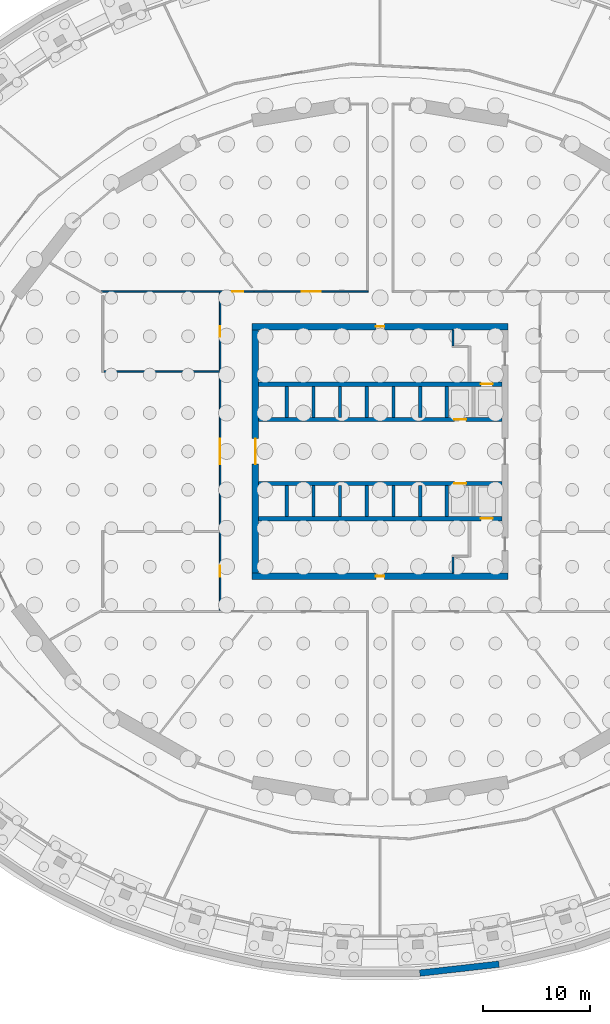
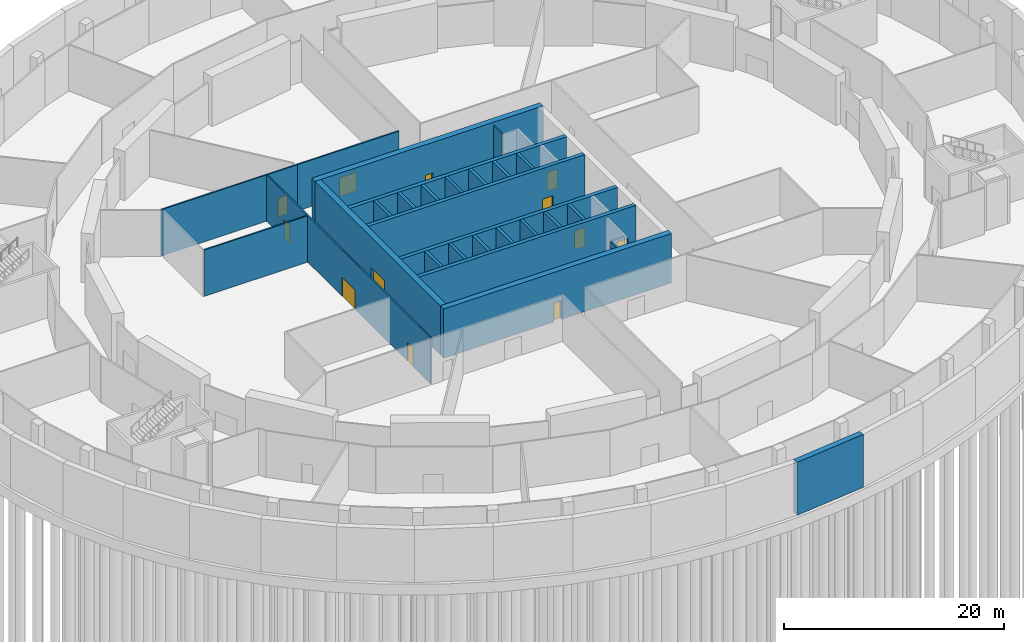
# One storey, part 8 of 15: 28 walls, 12 doors, 12 openings.
"""IFC4 building model written with IfcOpenShell, lengths in metres."""

from ifc_helpers import new_model, si_unit, direction, frame, frame_2d, origin, place, context, subcontext, project, spatial, rectangle, extrude, material, layer, layer_set, type_object, element, fill, save


model = new_model("IFC4")

# Units and contexts
model_context = context("Model", 3, precision=1e-05, world=origin(), true_north=direction((0.0, 1.0)))
body_context = subcontext(model_context, "Body", "Model", "MODEL_VIEW")
ifc_project = project(units=[si_unit("LENGTHUNIT", "METRE"), si_unit("AREAUNIT", "SQUARE_METRE"), si_unit("VOLUMEUNIT", "CUBIC_METRE"), si_unit("PLANEANGLEUNIT", "RADIAN"), si_unit("MASSUNIT", "GRAM", prefix="KILO")], contexts=[model_context])

# Site, building, storey
site_placement = place(None, origin())
site = spatial("IfcSite", under=ifc_project, at=site_placement, CompositionType="ELEMENT")
building_placement = place(site_placement, origin())
building = spatial("IfcBuilding", under=site, at=building_placement, Name="Halqa Exchange Tower", CompositionType="ELEMENT")
storey_placement = place(building_placement, frame((0.0, 0.0, -15.0)))
storey = spatial("IfcBuildingStorey", under=building, at=storey_placement, Name="B3", CompositionType="ELEMENT", Elevation=-15.0)

# Wall, opening, door
ifc_material_1 = material(Name="Fire-rated gypsum board")
ifc_layer_1 = layer(ifc_material_1, 0.14990234375)
ifc_layer_set_1 = layer_set([ifc_layer_1], Name="Fire-rated gypsum board")
wall_type_1 = type_object("IfcWallType", Name="Fire partition EI 60 150", PredefinedType="PARTITIONING", material=ifc_layer_set_1)
wall_1_placement = place(storey_placement, frame((-26.1298828125, 15.0, 0.0), z_axis=(0.0, 0.0, 1.0), x_axis=(1.0, 0.0, 0.0)))
wall_1 = element("IfcWall", 1, at=wall_1_placement, inside=storey, type_object=wall_type_1, Name="B3-PWL-044", PredefinedType="PARTITIONING", context=body_context, shape_type="SweptSolid", body=[
    extrude(rectangle(XDim=14.31982421875, YDim=0.14990234375, at=frame_2d((7.159912109375, 0.0))), origin(), (0.0, 0.0, 1.0), 5.14990234375),
])
opening_1_placement = place(wall_1_placement, frame((12.280029296875, 0.0, 0.0)))
opening_1 = element("IfcOpeningElement", 2, at=opening_1_placement, cuts=wall_1, Name="Opening B3-11", PredefinedType="OPENING", context=body_context, shape_type="SweptSolid", body=[
    extrude(rectangle(XDim=1.0, YDim=2.10009765625, at=frame_2d((0.5, 1.050048828125))), frame((0.0, 0.0869140625, 0.0), z_axis=(0.0, -1.0, 0.0), x_axis=(1.0, 0.0, 0.0)), (0.0, 0.0, 1.0), 0.173828125),
])
ifc_material_2 = material(Name="Steel fire door leaf", Category="steel")
door_type_1 = type_object("IfcDoorType", Name="Fire door FD30S 1000 x 2100", OperationType="SINGLE_SWING_LEFT", PredefinedType="DOOR", material=ifc_material_2)
door_1_placement = place(opening_1_placement, frame((1.0, 0.0, 0.0), z_axis=(0.0, 0.0, 1.0), x_axis=(-1.0, 0.0, 0.0)))
door_1 = element("IfcDoor", 3, at=door_1_placement, inside=storey, type_object=door_type_1, Name="B3-IDR-011", OperationType="SINGLE_SWING_LEFT", OverallHeight=2.10009765625, OverallWidth=1.0, PredefinedType="DOOR", context=body_context, shape_type="SweptSolid", body=[
    extrude(rectangle(XDim=1.0, YDim=2.10009765625, at=frame_2d((0.5, 1.050048828125))), frame((0.0, 0.02490234375, 0.0), z_axis=(0.0, -1.0, 0.0), x_axis=(1.0, 0.0, 0.0)), (0.0, 0.0, 1.0), 0.050048828125),
])
fill(opening_1, door_1)

# Wall, openings, doors
wall_2_placement = place(storey_placement, frame((-15.0, -14.925048828125, 0.0), z_axis=(0.0, 0.0, 1.0), x_axis=(0.0, 1.0, 0.0)))
wall_2 = element("IfcWall", 4, at=wall_2_placement, inside=storey, type_object=wall_type_1, Name="B3-PWL-058", PredefinedType="PARTITIONING", context=body_context, shape_type="SweptSolid", body=[
    extrude(rectangle(XDim=29.85009765625, YDim=0.14990234375, at=frame_2d((14.925048828125, 0.0))), origin(), (0.0, 0.0, 1.0), 5.14990234375),
])
opening_2_placement = place(wall_2_placement, frame((25.659912109375, 0.0, 0.0)))
opening_2 = element("IfcOpeningElement", 5, at=opening_2_placement, cuts=wall_2, Name="Opening B3-03", PredefinedType="OPENING", context=body_context, shape_type="SweptSolid", body=[
    extrude(rectangle(XDim=1.0, YDim=2.10009765625, at=frame_2d((0.5, 1.050048828125))), frame((0.0, 0.0869140625, 0.0), z_axis=(0.0, -1.0, 0.0), x_axis=(1.0, 0.0, 0.0)), (0.0, 0.0, 1.0), 0.173828125),
])
opening_3_placement = place(wall_2_placement, frame((3.18994140625, 0.0, 0.0)))
opening_3 = element("IfcOpeningElement", 6, at=opening_3_placement, cuts=wall_2, Name="Opening B3-04", PredefinedType="OPENING", context=body_context, shape_type="SweptSolid", body=[
    extrude(rectangle(XDim=1.0, YDim=2.10009765625, at=frame_2d((0.5, 1.050048828125))), frame((0.0, 0.0869140625, 0.0), z_axis=(0.0, -1.0, 0.0), x_axis=(1.0, 0.0, 0.0)), (0.0, 0.0, 1.0), 0.173828125),
])
opening_4_placement = place(wall_2_placement, frame((13.72509765625, 0.0, 0.0)))
opening_4 = element("IfcOpeningElement", 7, at=opening_4_placement, cuts=wall_2, Name="Opening B3-12", PredefinedType="OPENING", context=body_context, shape_type="SweptSolid", body=[
    extrude(rectangle(XDim=2.39990234375, YDim=2.10009765625, at=frame_2d((1.199951171875, 1.050048828125))), frame((0.0, 0.0869140625, 0.0), z_axis=(0.0, -1.0, 0.0), x_axis=(1.0, 0.0, 0.0)), (0.0, 0.0, 1.0), 0.173828125),
])
door_2_placement = place(opening_2_placement, frame((1.0, 0.0, 0.0), z_axis=(0.0, 0.0, 1.0), x_axis=(-1.0, 0.0, 0.0)))
door_2 = element("IfcDoor", 8, at=door_2_placement, inside=storey, type_object=door_type_1, Name="B3-IDR-003", OperationType="SINGLE_SWING_RIGHT", OverallHeight=2.10009765625, OverallWidth=1.0, PredefinedType="DOOR", context=body_context, shape_type="SweptSolid", body=[
    extrude(rectangle(XDim=1.0, YDim=2.10009765625, at=frame_2d((0.5, 1.050048828125))), frame((0.0, 0.02490234375, 0.0), z_axis=(0.0, -1.0, 0.0), x_axis=(1.0, 0.0, 0.0)), (0.0, 0.0, 1.0), 0.050048828125),
])
fill(opening_2, door_2)
door_3_placement = place(opening_3_placement, frame((1.0, 0.0, 0.0), z_axis=(0.0, 0.0, 1.0), x_axis=(-1.0, 0.0, 0.0)))
door_3 = element("IfcDoor", 9, at=door_3_placement, inside=storey, type_object=door_type_1, Name="B3-IDR-004", OperationType="SINGLE_SWING_LEFT", OverallHeight=2.10009765625, OverallWidth=1.0, PredefinedType="DOOR", context=body_context, shape_type="SweptSolid", body=[
    extrude(rectangle(XDim=1.0, YDim=2.10009765625, at=frame_2d((0.5, 1.050048828125))), frame((0.0, 0.02490234375, 0.0), z_axis=(0.0, -1.0, 0.0), x_axis=(1.0, 0.0, 0.0)), (0.0, 0.0, 1.0), 0.050048828125),
])
fill(opening_3, door_3)
door_type_2 = type_object("IfcDoorType", Name="Fire door FD60S double 2400 x 2100", OperationType="DOUBLE_DOOR_SINGLE_SWING", PredefinedType="DOOR", material=ifc_material_2)
door_4_placement = place(opening_4_placement, frame((2.39990234375, 0.0, 0.0), z_axis=(0.0, 0.0, 1.0), x_axis=(-1.0, 0.0, 0.0)))
door_4 = element("IfcDoor", 10, at=door_4_placement, inside=storey, type_object=door_type_2, Name="B3-IDR-012", OperationType="DOUBLE_DOOR_SINGLE_SWING", OverallHeight=2.10009765625, OverallWidth=2.39990234375, PredefinedType="DOOR", context=body_context, shape_type="SweptSolid", body=[
    extrude(rectangle(XDim=2.39990234375, YDim=2.10009765625, at=frame_2d((1.199951171875, 1.050048828125))), frame((0.0, 0.02490234375, 0.0), z_axis=(0.0, -1.0, 0.0), x_axis=(1.0, 0.0, 0.0)), (0.0, 0.0, 1.0), 0.050048828125),
])
fill(opening_4, door_4)

# Wall
wall_3_placement = place(storey_placement, frame((-15.074951171875, 7.5, 0.0), z_axis=(0.0, 0.0, 1.0), x_axis=(-1.0, 0.0, 0.0)))
element("IfcWall", 11, at=wall_3_placement, inside=storey, type_object=wall_type_1, Name="B3-PWL-059", PredefinedType="PARTITIONING", context=body_context, shape_type="SweptSolid", body=[
    extrude(rectangle(XDim=10.85107421875, YDim=0.14990234375, at=frame_2d((5.425537109375, 0.0))), origin(), (0.0, 0.0, 1.0), 5.14990234375),
])

# Wall, opening, door
wall_4_placement = place(storey_placement, frame((-11.810546875, 15.0, 0.0), z_axis=(0.0, 0.0, 1.0), x_axis=(1.0, 0.0, 0.0)))
wall_4 = element("IfcWall", 12, at=wall_4_placement, inside=storey, type_object=wall_type_1, Name="B3-PWL-062", PredefinedType="PARTITIONING", context=body_context, shape_type="SweptSolid", body=[
    extrude(rectangle(XDim=10.685546875, YDim=0.14990234375, at=frame_2d((5.3427734375, 0.0))), origin(), (0.0, 0.0, 1.0), 5.14990234375),
])
opening_5_placement = place(wall_4_placement, frame((4.44140625, 0.0, 0.0)))
opening_5 = element("IfcOpeningElement", 13, at=opening_5_placement, cuts=wall_4, Name="Opening B3-10", PredefinedType="OPENING", context=body_context, shape_type="SweptSolid", body=[
    extrude(rectangle(XDim=1.800048828125, YDim=2.10009765625, at=frame_2d((0.89990234375, 1.050048828125))), frame((0.0, 0.0869140625, 0.0), z_axis=(0.0, -1.0, 0.0), x_axis=(1.0, 0.0, 0.0)), (0.0, 0.0, 1.0), 0.173828125),
])
door_type_3 = type_object("IfcDoorType", Name="Fire door FD30S double 1800 x 2100", OperationType="DOUBLE_DOOR_SINGLE_SWING", PredefinedType="DOOR", material=ifc_material_2)
door_5_placement = place(opening_5_placement, frame((1.800048828125, 0.0, 0.0), z_axis=(0.0, 0.0, 1.0), x_axis=(-1.0, 0.0, 0.0)))
door_5 = element("IfcDoor", 14, at=door_5_placement, inside=storey, type_object=door_type_3, Name="B3-IDR-010", OperationType="DOUBLE_DOOR_SINGLE_SWING", OverallHeight=2.10009765625, OverallWidth=1.800048828125, PredefinedType="DOOR", context=body_context, shape_type="SweptSolid", body=[
    extrude(rectangle(XDim=1.800048828125, YDim=2.10009765625, at=frame_2d((0.89990234375, 1.050048828125))), frame((0.0, 0.02490234375, 0.0), z_axis=(0.0, -1.0, 0.0), x_axis=(1.0, 0.0, 0.0)), (0.0, 0.0, 1.0), 0.050048828125),
])
fill(opening_5, door_5)

# Walls
ifc_material_3 = material(Name="Gypsum board")
ifc_layer_2 = layer(ifc_material_3, 0.14990234375)
ifc_layer_set_2 = layer_set([ifc_layer_2], Name="Gypsum board")
wall_type_2 = type_object("IfcWallType", Name="Penthouse riser wall 150 gypsum", PredefinedType="PARTITIONING", material=ifc_layer_set_2)
for number, where, z_axis, x_axis, name in (
    (15, (6.824951171875, 9.89990234375, 0.0), (0.0, 0.0, 1.0), (0.0, 1.0, 0.0), "Firefighting lobby west wall N"),
    (16, (6.824951171875, -11.39990234375, 0.0), (0.0, 0.0, 1.0), (0.0, 1.0, 0.0), "Firefighting lobby west wall S"),
):
    element("IfcWall", number, at=place(storey_placement, frame(where, z_axis=z_axis, x_axis=x_axis)), inside=storey, type_object=wall_type_2, Name=name, PredefinedType="PARTITIONING", context=body_context, shape_type="SweptSolid", body=[
        extrude(rectangle(XDim=1.5, YDim=0.14990234375, at=frame_2d((0.75, 0.0))), origin(), (0.0, 0.0, 1.0), 5.14990234375),
    ])
ifc_material_4 = material(Name="Concrete C40/50", Category="concrete")
ifc_layer_3 = layer(ifc_material_4, 0.60009765625)
ifc_layer_set_3 = layer_set([ifc_layer_3], Name="Concrete C40/50")
wall_type_3 = type_object("IfcWallType", Name="RC basement wall 600", PredefinedType="SOLIDWALL", material=ifc_layer_set_3)
wall_5_placement = place(storey_placement, frame((3.711181640625, -48.89697265625, -0.39990234375), z_axis=(0.0, 0.0, 1.0), x_axis=(0.993658203282, 0.112442763445, 0.0)))
element("IfcWall", 17, at=wall_5_placement, inside=storey, type_object=wall_type_3, Name="Basement retaining wall", PredefinedType="SOLIDWALL", context=body_context, shape_type="SweptSolid", body=[
    extrude(rectangle(XDim=7.473388671875, YDim=0.60009765625, at=frame_2d((3.73681640625, 0.0))), origin(), (0.0, 0.0, 1.0), 5.89990234375),
])
ifc_material_5 = material(Name="Concrete C60/75", Category="concrete")
ifc_layer_4 = layer(ifc_material_5, 0.300048828125)
ifc_layer_set_4 = layer_set([ifc_layer_4], Name="Concrete C60/75")
wall_type_4 = type_object("IfcWallType", Name="RC core wall 300", PredefinedType="SHEAR", material=ifc_layer_set_4)
for number, where, z_axis, x_axis, name in (
    (18, (-8.75, 3.199951171875, 0.0), (0.0, 0.0, 1.0), (0.0, 1.0, 0.0), "Shaft divider N1"),
    (19, (-6.25, 3.199951171875, 0.0), (0.0, 0.0, 1.0), (0.0, 1.0, 0.0), "Shaft divider N2"),
    (20, (-3.75, 3.199951171875, 0.0), (0.0, 0.0, 1.0), (0.0, 1.0, 0.0), "Shaft divider N3"),
    (21, (-1.25, 3.199951171875, 0.0), (0.0, 0.0, 1.0), (0.0, 1.0, 0.0), "Shaft divider N4"),
    (22, (1.25, 3.199951171875, 0.0), (0.0, 0.0, 1.0), (0.0, 1.0, 0.0), "Shaft divider N5"),
    (23, (3.75, 3.199951171875, 0.0), (0.0, 0.0, 1.0), (0.0, 1.0, 0.0), "Shaft divider N6"),
    (24, (6.25, 3.199951171875, 0.0), (0.0, 0.0, 1.0), (0.0, 1.0, 0.0), "Shaft divider N7"),
    (25, (-8.75, -6.10009765625, 0.0), (0.0, 0.0, 1.0), (0.0, 1.0, 0.0), "Shaft divider S1"),
    (26, (-6.25, -6.10009765625, 0.0), (0.0, 0.0, 1.0), (0.0, 1.0, 0.0), "Shaft divider S2"),
    (27, (-3.75, -6.10009765625, 0.0), (0.0, 0.0, 1.0), (0.0, 1.0, 0.0), "Shaft divider S3"),
    (28, (-1.25, -6.10009765625, 0.0), (0.0, 0.0, 1.0), (0.0, 1.0, 0.0), "Shaft divider S4"),
    (29, (1.25, -6.10009765625, 0.0), (0.0, 0.0, 1.0), (0.0, 1.0, 0.0), "Shaft divider S5"),
    (30, (3.75, -6.10009765625, 0.0), (0.0, 0.0, 1.0), (0.0, 1.0, 0.0), "Shaft divider S6"),
    (31, (6.25, -6.10009765625, 0.0), (0.0, 0.0, 1.0), (0.0, 1.0, 0.0), "Shaft divider S7"),
):
    element("IfcWall", number, at=place(storey_placement, frame(where, z_axis=z_axis, x_axis=x_axis)), inside=storey, type_object=wall_type_4, Name=name, PredefinedType="SHEAR", context=body_context, shape_type="SweptSolid", body=[
        extrude(rectangle(XDim=2.900146484375, YDim=0.300048828125, at=frame_2d((1.4501953125, 0.0))), origin(), (0.0, 0.0, 1.0), 5.5),
    ])

# Wall, opening, door
ifc_material_6 = material(Name="Concrete C80/95", Category="concrete")
ifc_layer_5 = layer(ifc_material_6, 0.39990234375)
ifc_layer_set_5 = layer_set([ifc_layer_5], Name="Concrete C80/95")
wall_type_5 = type_object("IfcWallType", Name="RC core wall 400 C80/95", PredefinedType="SHEAR", material=ifc_layer_set_5)
wall_6_placement = place(storey_placement, frame((-11.39990234375, 3.0, 0.0), z_axis=(0.0, 0.0, 1.0), x_axis=(1.0, 0.0, 0.0)))
wall_6 = element("IfcWall", 32, at=wall_6_placement, inside=storey, type_object=wall_type_5, Name="Lift row front wall N", PredefinedType="SHEAR", context=body_context, shape_type="SweptSolid", body=[
    extrude(rectangle(XDim=22.7998046875, YDim=0.39990234375, at=frame_2d((11.39990234375, 0.0))), origin(), (0.0, 0.0, 1.0), 5.5),
])
opening_6_placement = place(wall_6_placement, frame((18.35009765625, 0.0, 0.0)))
opening_6 = element("IfcOpeningElement", 33, at=opening_6_placement, cuts=wall_6, Name="Opening LD-SV1-B3", PredefinedType="OPENING", context=body_context, shape_type="SweptSolid", body=[
    extrude(rectangle(XDim=1.10009765625, YDim=2.10009765625, at=frame_2d((0.550048828125, 1.050048828125))), frame((0.0, 0.2119140625, 0.0), z_axis=(0.0, -1.0, 0.0), x_axis=(1.0, 0.0, 0.0)), (0.0, 0.0, 1.0), 0.423828125),
])
ifc_material_7 = material(Name="Stainless steel", Category="steel")
door_type_4 = type_object("IfcDoorType", Name="Lift landing door 1100 x 2100", OperationType="SLIDING_TO_LEFT", PredefinedType="DOOR", material=ifc_material_7)
door_6_placement = place(opening_6_placement, origin())
door_6 = element("IfcDoor", 34, at=door_6_placement, inside=storey, type_object=door_type_4, Name="Lift landing door SV1", OperationType="SLIDING_TO_LEFT", OverallHeight=2.10009765625, OverallWidth=1.10009765625, PredefinedType="DOOR", context=body_context, shape_type="SweptSolid", body=[
    extrude(rectangle(XDim=1.10009765625, YDim=2.10009765625, at=frame_2d((0.550048828125, 1.050048828125))), frame((0.0, 0.02490234375, 0.0), z_axis=(0.0, -1.0, 0.0), x_axis=(1.0, 0.0, 0.0)), (0.0, 0.0, 1.0), 0.050048828125),
])
fill(opening_6, door_6)

wall_7_placement = place(storey_placement, frame((-11.39990234375, 6.300048828125, 0.0), z_axis=(0.0, 0.0, 1.0), x_axis=(1.0, 0.0, 0.0)))
wall_7 = element("IfcWall", 35, at=wall_7_placement, inside=storey, type_object=wall_type_5, Name="Lift row back wall N", PredefinedType="SHEAR", context=body_context, shape_type="SweptSolid", body=[
    extrude(rectangle(XDim=22.7998046875, YDim=0.39990234375, at=frame_2d((11.39990234375, 0.0))), origin(), (0.0, 0.0, 1.0), 5.5),
])
opening_7_placement = place(wall_7_placement, frame((20.85009765625, 0.0, 0.0)))
opening_7 = element("IfcOpeningElement", 36, at=opening_7_placement, cuts=wall_7, Name="Opening LD-FF1-B3", PredefinedType="OPENING", context=body_context, shape_type="SweptSolid", body=[
    extrude(rectangle(XDim=1.10009765625, YDim=2.10009765625, at=frame_2d((0.550048828125, 1.050048828125))), frame((0.0, 0.2119140625, 0.0), z_axis=(0.0, -1.0, 0.0), x_axis=(1.0, 0.0, 0.0)), (0.0, 0.0, 1.0), 0.423828125),
])
door_7_placement = place(opening_7_placement, origin())
door_7 = element("IfcDoor", 37, at=door_7_placement, inside=storey, type_object=door_type_4, Name="Lift landing door FF1", OperationType="SLIDING_TO_LEFT", OverallHeight=2.10009765625, OverallWidth=1.10009765625, PredefinedType="DOOR", context=body_context, shape_type="SweptSolid", body=[
    extrude(rectangle(XDim=1.10009765625, YDim=2.10009765625, at=frame_2d((0.550048828125, 1.050048828125))), frame((0.0, 0.02490234375, 0.0), z_axis=(0.0, -1.0, 0.0), x_axis=(1.0, 0.0, 0.0)), (0.0, 0.0, 1.0), 0.050048828125),
])
fill(opening_7, door_7)

wall_8_placement = place(storey_placement, frame((-11.39990234375, -3.0, 0.0), z_axis=(0.0, 0.0, 1.0), x_axis=(1.0, 0.0, 0.0)))
wall_8 = element("IfcWall", 38, at=wall_8_placement, inside=storey, type_object=wall_type_5, Name="Lift row front wall S", PredefinedType="SHEAR", context=body_context, shape_type="SweptSolid", body=[
    extrude(rectangle(XDim=22.7998046875, YDim=0.39990234375, at=frame_2d((11.39990234375, 0.0))), origin(), (0.0, 0.0, 1.0), 5.5),
])
opening_8_placement = place(wall_8_placement, frame((18.35009765625, 0.0, 0.0)))
opening_8 = element("IfcOpeningElement", 39, at=opening_8_placement, cuts=wall_8, Name="Opening LD-SV2-B3", PredefinedType="OPENING", context=body_context, shape_type="SweptSolid", body=[
    extrude(rectangle(XDim=1.10009765625, YDim=2.10009765625, at=frame_2d((0.550048828125, 1.050048828125))), frame((0.0, 0.2119140625, 0.0), z_axis=(0.0, -1.0, 0.0), x_axis=(1.0, 0.0, 0.0)), (0.0, 0.0, 1.0), 0.423828125),
])
door_8_placement = place(opening_8_placement, origin())
door_8 = element("IfcDoor", 40, at=door_8_placement, inside=storey, type_object=door_type_4, Name="Lift landing door SV2", OperationType="SLIDING_TO_LEFT", OverallHeight=2.10009765625, OverallWidth=1.10009765625, PredefinedType="DOOR", context=body_context, shape_type="SweptSolid", body=[
    extrude(rectangle(XDim=1.10009765625, YDim=2.10009765625, at=frame_2d((0.550048828125, 1.050048828125))), frame((0.0, 0.02490234375, 0.0), z_axis=(0.0, -1.0, 0.0), x_axis=(1.0, 0.0, 0.0)), (0.0, 0.0, 1.0), 0.050048828125),
])
fill(opening_8, door_8)

wall_9_placement = place(storey_placement, frame((-11.39990234375, -6.300048828125, 0.0), z_axis=(0.0, 0.0, 1.0), x_axis=(1.0, 0.0, 0.0)))
wall_9 = element("IfcWall", 41, at=wall_9_placement, inside=storey, type_object=wall_type_5, Name="Lift row back wall S", PredefinedType="SHEAR", context=body_context, shape_type="SweptSolid", body=[
    extrude(rectangle(XDim=22.7998046875, YDim=0.39990234375, at=frame_2d((11.39990234375, 0.0))), origin(), (0.0, 0.0, 1.0), 5.5),
])
opening_9_placement = place(wall_9_placement, frame((20.85009765625, 0.0, 0.0)))
opening_9 = element("IfcOpeningElement", 42, at=opening_9_placement, cuts=wall_9, Name="Opening LD-FF2-B3", PredefinedType="OPENING", context=body_context, shape_type="SweptSolid", body=[
    extrude(rectangle(XDim=1.10009765625, YDim=2.10009765625, at=frame_2d((0.550048828125, 1.050048828125))), frame((0.0, 0.2119140625, 0.0), z_axis=(0.0, -1.0, 0.0), x_axis=(1.0, 0.0, 0.0)), (0.0, 0.0, 1.0), 0.423828125),
])
door_9_placement = place(opening_9_placement, origin())
door_9 = element("IfcDoor", 43, at=door_9_placement, inside=storey, type_object=door_type_4, Name="Lift landing door FF2", OperationType="SLIDING_TO_LEFT", OverallHeight=2.10009765625, OverallWidth=1.10009765625, PredefinedType="DOOR", context=body_context, shape_type="SweptSolid", body=[
    extrude(rectangle(XDim=1.10009765625, YDim=2.10009765625, at=frame_2d((0.550048828125, 1.050048828125))), frame((0.0, 0.02490234375, 0.0), z_axis=(0.0, -1.0, 0.0), x_axis=(1.0, 0.0, 0.0)), (0.0, 0.0, 1.0), 0.050048828125),
])
fill(opening_9, door_9)

ifc_layer_6 = layer(ifc_material_6, 0.60009765625)
ifc_layer_set_6 = layer_set([ifc_layer_6], Name="Concrete C80/95")
wall_type_6 = type_object("IfcWallType", Name="RC core wall 600 C80/95", PredefinedType="SHEAR", material=ifc_layer_set_6)
wall_10_placement = place(storey_placement, frame((-12.0, 11.699951171875, 0.0), z_axis=(0.0, 0.0, 1.0), x_axis=(1.0, 0.0, 0.0)))
wall_10 = element("IfcWall", 44, at=wall_10_placement, inside=storey, type_object=wall_type_6, Name="Core wall north", PredefinedType="SHEAR", context=body_context, shape_type="SweptSolid", body=[
    extrude(rectangle(XDim=24.0, YDim=0.60009765625, at=frame_2d((12.0, 0.0))), origin(), (0.0, 0.0, 1.0), 5.5),
])
opening_10_placement = place(wall_10_placement, frame((11.60009765625, 0.0, 0.0)))
opening_10 = element("IfcOpeningElement", 45, at=opening_10_placement, cuts=wall_10, Name="Opening B3-C17", PredefinedType="OPENING", context=body_context, shape_type="SweptSolid", body=[
    extrude(rectangle(XDim=0.800048828125, YDim=2.10009765625, at=frame_2d((0.39990234375, 1.050048828125))), frame((0.0, 0.31201171875, 0.0), z_axis=(0.0, -1.0, 0.0), x_axis=(1.0, 0.0, 0.0)), (0.0, 0.0, 1.0), 0.6240234375),
])
door_type_5 = type_object("IfcDoorType", Name="Riser door FD60 800 x 2100", OperationType="SINGLE_SWING_LEFT", PredefinedType="DOOR", material=ifc_material_2)
door_10_placement = place(opening_10_placement, origin())
door_10 = element("IfcDoor", 46, at=door_10_placement, inside=storey, type_object=door_type_5, Name="Core room door", OperationType="SINGLE_SWING_LEFT", OverallHeight=2.10009765625, OverallWidth=0.800048828125, PredefinedType="DOOR", context=body_context, shape_type="SweptSolid", body=[
    extrude(rectangle(XDim=0.800048828125, YDim=2.10009765625, at=frame_2d((0.39990234375, 1.050048828125))), frame((0.0, 0.02490234375, 0.0), z_axis=(0.0, -1.0, 0.0), x_axis=(1.0, 0.0, 0.0)), (0.0, 0.0, 1.0), 0.050048828125),
])
fill(opening_10, door_10)

wall_11_placement = place(storey_placement, frame((-12.0, -11.699951171875, 0.0), z_axis=(0.0, 0.0, 1.0), x_axis=(1.0, 0.0, 0.0)))
wall_11 = element("IfcWall", 47, at=wall_11_placement, inside=storey, type_object=wall_type_6, Name="Core wall south", PredefinedType="SHEAR", context=body_context, shape_type="SweptSolid", body=[
    extrude(rectangle(XDim=24.0, YDim=0.60009765625, at=frame_2d((12.0, 0.0))), origin(), (0.0, 0.0, 1.0), 5.5),
])
opening_11_placement = place(wall_11_placement, frame((11.60009765625, 0.0, 0.0)))
opening_11 = element("IfcOpeningElement", 48, at=opening_11_placement, cuts=wall_11, Name="Opening B3-C18", PredefinedType="OPENING", context=body_context, shape_type="SweptSolid", body=[
    extrude(rectangle(XDim=0.800048828125, YDim=2.10009765625, at=frame_2d((0.39990234375, 1.050048828125))), frame((0.0, 0.31201171875, 0.0), z_axis=(0.0, -1.0, 0.0), x_axis=(1.0, 0.0, 0.0)), (0.0, 0.0, 1.0), 0.6240234375),
])
door_11_placement = place(opening_11_placement, frame((0.800048828125, 0.0, 0.0), z_axis=(0.0, 0.0, 1.0), x_axis=(-1.0, 0.0, 0.0)))
door_11 = element("IfcDoor", 49, at=door_11_placement, inside=storey, type_object=door_type_5, Name="Core room door", OperationType="SINGLE_SWING_LEFT", OverallHeight=2.10009765625, OverallWidth=0.800048828125, PredefinedType="DOOR", context=body_context, shape_type="SweptSolid", body=[
    extrude(rectangle(XDim=0.800048828125, YDim=2.10009765625, at=frame_2d((0.39990234375, 1.050048828125))), frame((0.0, 0.02490234375, 0.0), z_axis=(0.0, -1.0, 0.0), x_axis=(1.0, 0.0, 0.0)), (0.0, 0.0, 1.0), 0.050048828125),
])
fill(opening_11, door_11)

wall_12_placement = place(storey_placement, frame((-11.699951171875, -11.39990234375, 0.0), z_axis=(0.0, 0.0, 1.0), x_axis=(0.0, 1.0, 0.0)))
wall_12 = element("IfcWall", 50, at=wall_12_placement, inside=storey, type_object=wall_type_6, Name="Core wall west", PredefinedType="SHEAR", context=body_context, shape_type="SweptSolid", body=[
    extrude(rectangle(XDim=22.7998046875, YDim=0.60009765625, at=frame_2d((11.39990234375, 0.0))), origin(), (0.0, 0.0, 1.0), 5.5),
])
opening_12_placement = place(wall_12_placement, frame((10.199951171875, 0.0, 0.0)))
opening_12 = element("IfcOpeningElement", 51, at=opening_12_placement, cuts=wall_12, Name="Opening B3-C05", PredefinedType="OPENING", context=body_context, shape_type="SweptSolid", body=[
    extrude(rectangle(XDim=2.39990234375, YDim=2.10009765625, at=frame_2d((1.199951171875, 1.050048828125))), frame((0.0, 0.31201171875, 0.0), z_axis=(0.0, -1.0, 0.0), x_axis=(1.0, 0.0, 0.0)), (0.0, 0.0, 1.0), 0.6240234375),
])
door_type_6 = type_object("IfcDoorType", Name="Lobby double door FD60 2400 x 2100", OperationType="DOUBLE_DOOR_SINGLE_SWING", PredefinedType="DOOR", material=ifc_material_2)
door_12_placement = place(opening_12_placement, origin())
door_12 = element("IfcDoor", 52, at=door_12_placement, inside=storey, type_object=door_type_6, Name="Lift lobby double door", OperationType="DOUBLE_DOOR_SINGLE_SWING", OverallHeight=2.10009765625, OverallWidth=2.39990234375, PredefinedType="DOOR", context=body_context, shape_type="SweptSolid", body=[
    extrude(rectangle(XDim=2.39990234375, YDim=2.10009765625, at=frame_2d((1.199951171875, 1.050048828125))), frame((0.0, 0.02490234375, 0.0), z_axis=(0.0, -1.0, 0.0), x_axis=(1.0, 0.0, 0.0)), (0.0, 0.0, 1.0), 0.050048828125),
])
fill(opening_12, door_12)

save(model, "model.ifc")
